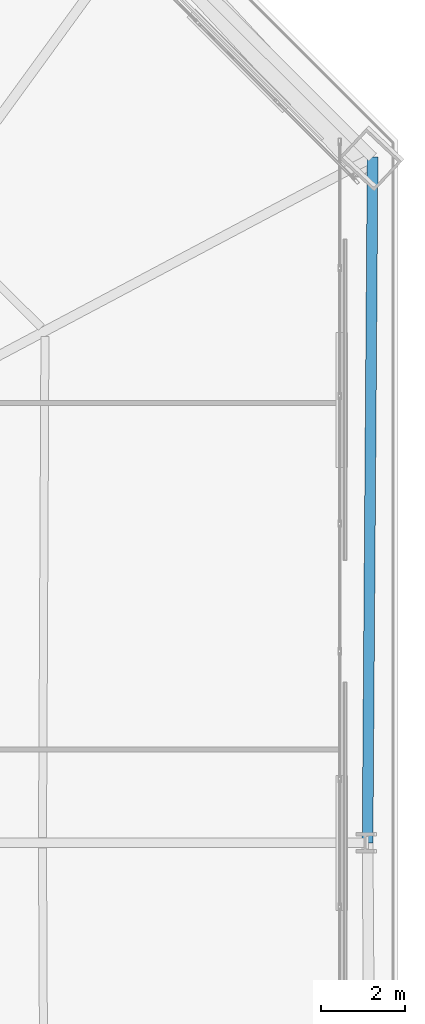
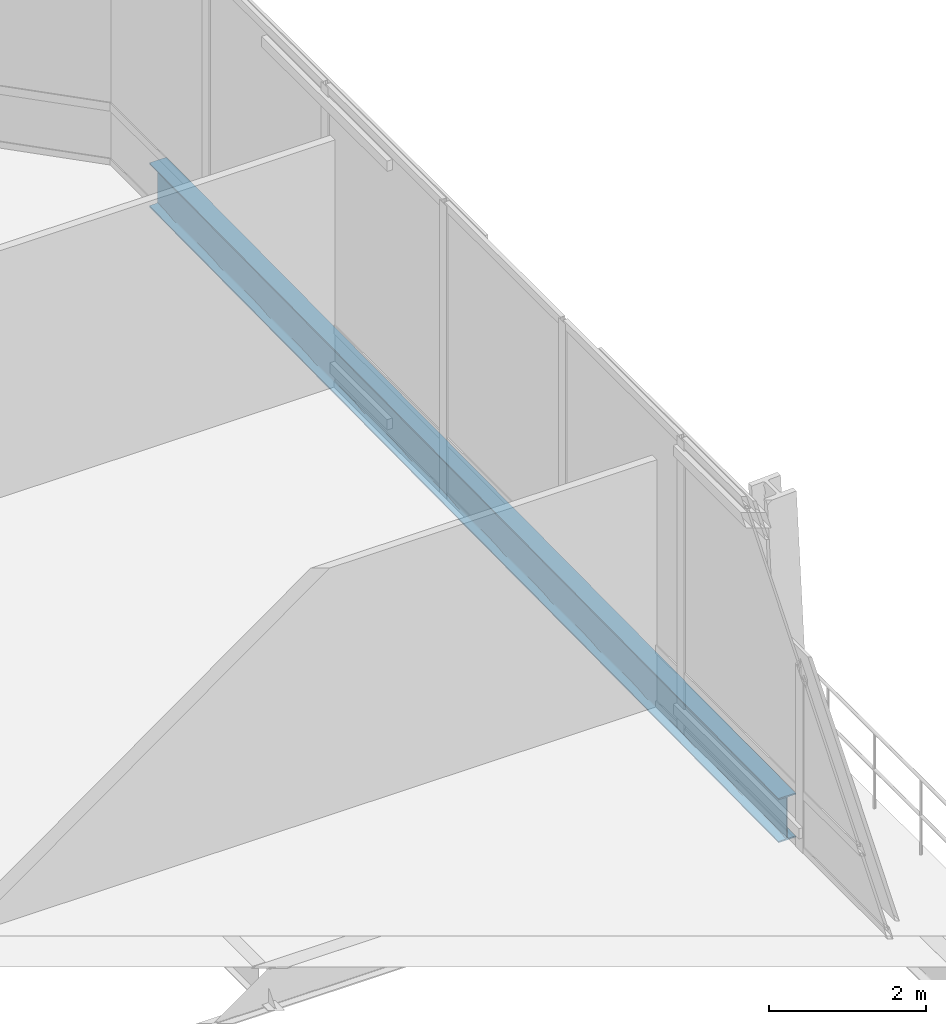
# One storey, part 27 of 48: 1 beam.
"""IFC4 building model written with IfcOpenShell, lengths in metres."""

from ifc_helpers import new_model, si_unit, direction, frame, origin, origin_2d, place, context, subcontext, project, spatial, i_section, extrude, material, material_profile, profile_set, type_object, element, save


model = new_model("IFC4")

# Units and contexts
model_context = context("Model", 3, precision=1e-05, world=origin(), true_north=direction((0.0, 1.0)))
body_context = subcontext(model_context, "Body", "Model", "MODEL_VIEW")
ifc_project = project(units=[si_unit("LENGTHUNIT", "METRE"), si_unit("AREAUNIT", "SQUARE_METRE"), si_unit("VOLUMEUNIT", "CUBIC_METRE"), si_unit("PLANEANGLEUNIT", "RADIAN"), si_unit("MASSUNIT", "GRAM", prefix="KILO")], contexts=[model_context])

# Site, building, storey
site_placement = place(None, origin())
site = spatial("IfcSite", under=ifc_project, at=site_placement, CompositionType="ELEMENT")
building_placement = place(site_placement, origin())
building = spatial("IfcBuilding", under=site, at=building_placement, Name="Caelvoria Tower", CompositionType="ELEMENT")
storey_placement = place(building_placement, frame((0.0, 0.0, 90.39990234375)))
storey = spatial("IfcBuildingStorey", under=building, at=storey_placement, Name="L23", CompositionType="ELEMENT", Elevation=90.39990234375)

# Beam
ifc_material = material(Name="Structural Steel ASTM A992 Gr.50", Category="steel")
ifc_material_profile = material_profile(ifc_material, i_section(OverallWidth=0.25390625, OverallDepth=0.68798828125, WebThickness=0.01318359375, FlangeThickness=0.02099609375, FilletRadius=0.01904296875, at=origin_2d()), Name="Structural Steel ASTM A992 Gr.50")
ifc_profile_set = profile_set([ifc_material_profile], Name="W690X152 - Structural Steel ASTM A992 Gr.50")
beam_type = type_object("IfcBeamType", Name="Perimeter Spandrel Girder W690X152", PredefinedType="BEAM", material=ifc_profile_set)
beam_placement = place(storey_placement, frame((70.396728515625, 32.0, -0.663818359375), z_axis=(0.00736799945, 0.999972855924, 0.0), x_axis=(-0.999972855924, 0.00736799945, 0.0)))
element("IfcBeam", 1, at=beam_placement, inside=storey, type_object=beam_type, Name="Perimeter Spandrel Girder L23-04", PredefinedType="BEAM", context=body_context, shape_type="SweptSolid", body=[
    extrude(i_section(OverallWidth=0.25390625, OverallDepth=0.68798828125, WebThickness=0.01318359375, FlangeThickness=0.02099609375, FilletRadius=0.01904296875, at=origin_2d()), origin(), (0.0, 0.0, 1.0), 16.236328125),
])

save(model, "model.ifc")
